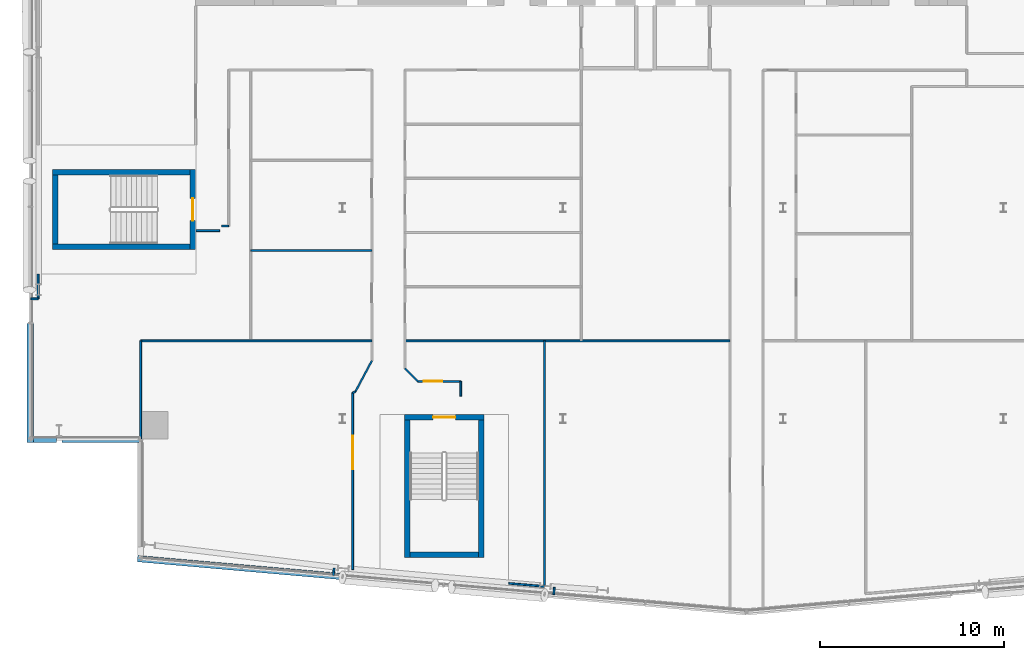
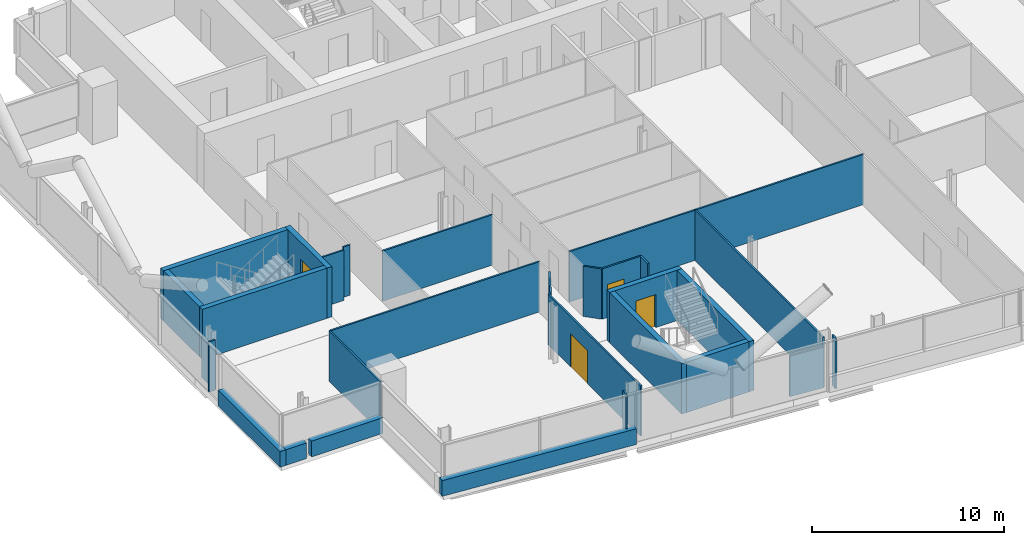
# One storey, part 14 of 26: 30 walls, 4 doors, 4 openings.
"""IFC4 building model written with IfcOpenShell, lengths in metres."""

import ifcopenshell
import ifcopenshell.guid

model = None  # the IFC model being written
_history = None  # IfcOwnerHistory: only IFC2X3 demands one
_inside = {}  # id of a spatial element -> (the spatial element, [elements in it])
_under = {}  # id of a project, library or spatial element -> (it, [spatial elements below it])
_declared = {}  # id of a project -> (the project, [libraries it declares])
_typed = {}  # id of a type object -> (the type object, [elements of that type])
_made_of = {}  # id of a material, layer set ... -> (it, [elements and type objects made of it])


def new_model(schema):
    """Start an empty IFC model of exactly this schema.

    Asked for "IFC4X3", IfcOpenShell would pick the latest addendum, in which some entities
    have other attributes; the version numbers below select the first issue.
    IFC2X3 requires an IfcOwnerHistory on every rooted entity: one is made here for all.
    """
    global model, _history
    if schema == "IFC4X3":
        model = ifcopenshell.file(schema_version=(4, 3, 0, 0))
    else:
        model = ifcopenshell.file(schema=schema)
    _inside.clear()
    _under.clear()
    _declared.clear()
    _typed.clear()
    _made_of.clear()
    _history = None
    if model.schema == "IFC2X3":
        org = make("IfcOrganization", Name="unknown")
        user = make(
            "IfcPersonAndOrganization",
            ThePerson=make("IfcPerson", FamilyName="unknown"),
            TheOrganization=org,
        )
        app = make(
            "IfcApplication",
            ApplicationDeveloper=org,
            Version="unknown",
            ApplicationFullName="unknown",
            ApplicationIdentifier="unknown",
        )
        _history = make(
            "IfcOwnerHistory",
            OwningUser=user,
            OwningApplication=app,
            ChangeAction="ADDED",
            CreationDate=0,
        )
    return model


def make(cls, **values):
    """One entity of the class cls with the attributes given. An attribute that is None is left unset."""
    return model.create_entity(
        cls, **{name: value for name, value in values.items() if value is not None}
    )


def rooted(cls, **values):
    """An entity with a GlobalId (a new one), such as an element, a storey or a relation."""
    return make(cls, GlobalId=ifcopenshell.guid.new(), OwnerHistory=_history, **values)


def si_unit(unit_type, name, prefix=None):
    """IfcSIUnit, for example si_unit("LENGTHUNIT", "METRE", prefix="MILLI")."""
    return make("IfcSIUnit", UnitType=unit_type, Prefix=prefix, Name=name)


def assignment(units):
    """IfcUnitAssignment: the units of a project."""
    return None if units is None else make("IfcUnitAssignment", Units=units)


def point(xyz):
    """IfcCartesianPoint."""
    return None if xyz is None else make("IfcCartesianPoint", Coordinates=xyz)


def direction(xyz):
    """IfcDirection."""
    return None if xyz is None else make("IfcDirection", DirectionRatios=xyz)


def frame(location, z_axis=None, x_axis=None):
    """IfcAxis2Placement3D, a coordinate frame: its origin and axes. An axis left out is left unset."""
    return make(
        "IfcAxis2Placement3D",
        Location=point(location),
        Axis=direction(z_axis),
        RefDirection=direction(x_axis),
    )


def frame_2d(location, x_axis=None):
    """IfcAxis2Placement2D, a coordinate frame in the plane: its origin and x axis."""
    return make(
        "IfcAxis2Placement2D", Location=point(location), RefDirection=direction(x_axis)
    )


def origin():
    """The frame at (0, 0, 0) with its axes left unset."""
    return frame((0.0, 0.0, 0.0))


def place(relative_to, where):
    """IfcLocalPlacement: puts the frame where relative to a parent placement (None: the world)."""
    return make(
        "IfcLocalPlacement", PlacementRelTo=relative_to, RelativePlacement=where
    )


def context(
    kind, dimensions, precision=None, world=None, true_north=None, identifier=None
):
    """IfcGeometricRepresentationContext, for example the 3D "Model" context."""
    return make(
        "IfcGeometricRepresentationContext",
        ContextIdentifier=identifier,
        ContextType=kind,
        CoordinateSpaceDimension=dimensions,
        Precision=precision,
        WorldCoordinateSystem=world,
        TrueNorth=true_north,
    )


def subcontext(parent, identifier, kind, view, scale=None):
    """IfcGeometricRepresentationSubContext, for example "Body" below "Model"."""
    return make(
        "IfcGeometricRepresentationSubContext",
        ContextIdentifier=identifier,
        ContextType=kind,
        ParentContext=parent,
        TargetScale=scale,
        TargetView=view,
    )


def project(units=None, contexts=None):
    """IfcProject with its units and contexts."""
    return rooted(
        "IfcProject",
        Name="project",
        RepresentationContexts=contexts,
        UnitsInContext=assignment(units),
    )


def spatial(cls, under=None, at=None, **own):
    """A site, building, storey or space (cls), placed at a placement, below another one or the project."""
    s = rooted(cls, ObjectPlacement=at, **own)
    if under is not None:
        _under.setdefault(under.id(), (under, []))[1].append(s)
    return s


def profile(cls, at=None, kind="AREA", **sizes):
    """A parametric profile (cls). Its sizes go by their IFC names, for example OverallWidth=200.0."""
    return make(cls, ProfileType=kind, Position=at, **sizes)


def rectangle(**sizes):
    """IfcRectangleProfileDef."""
    return profile("IfcRectangleProfileDef", **sizes)


def extrude(swept, where, along, depth):
    """IfcExtrudedAreaSolid: the profile swept, set in the frame where, extruded along a direction by depth."""
    return make(
        "IfcExtrudedAreaSolid",
        SweptArea=swept,
        Position=where,
        ExtrudedDirection=direction(along),
        Depth=depth,
    )


def shape(context_of_items, identifier, shape_type, items):
    """IfcShapeRepresentation: the items that make up one representation, for example the "Body"."""
    return make(
        "IfcShapeRepresentation",
        ContextOfItems=context_of_items,
        RepresentationIdentifier=identifier,
        RepresentationType=shape_type,
        Items=items,
    )


def material(Name=None, Category=None):
    """IfcMaterial."""
    return make("IfcMaterial", Name=Name, Category=Category)


def layer(
    of_material, thickness, ventilated=None, Name=None, Category=None, Priority=None
):
    """IfcMaterialLayer: one layer of a wall or slab, of a material (None: an air gap)."""
    return make(
        "IfcMaterialLayer",
        Material=of_material,
        LayerThickness=thickness,
        IsVentilated=ventilated,
        Name=Name,
        Category=Category,
        Priority=Priority,
    )


def layer_set(layers, Name=None):
    """IfcMaterialLayerSet."""
    return make("IfcMaterialLayerSet", MaterialLayers=layers, LayerSetName=Name)


def made_of(thing, what):
    """Note that an element or type object is made of a material, layer set ...; save() writes the relation."""
    if what is not None:
        _made_of.setdefault(what.id(), (what, []))[1].append(thing)
    return thing


def type_object(cls, material=None, **own):
    """A type object (cls), such as IfcWallType, which elements share."""
    return made_of(rooted(cls, **own), material)


def element(
    cls,
    number,
    at=None,
    inside=None,
    cuts=None,
    type_object=None,
    material=None,
    context=None,
    identifier="Body",
    shape_type=None,
    held_by="IfcProductDefinitionShape",
    body=None,
    shapes=None,
    **own,
):
    """One element of the class cls, such as IfcWall. Its Tag is "e" and its number.

    at: its placement. inside: the storey or other place that contains it. cuts: it is an
    opening in that element (IfcRelVoidsElement). A single representation is given by context,
    identifier, shape_type and body (its items); several are given by shapes. held_by: the class
    of the entity that holds the representations. save() writes the other relations.
    """
    e = rooted(cls, Tag="e%d" % number, ObjectPlacement=at, **own)
    if body is not None:
        shapes = [shape(context, identifier, shape_type, body)]
    if shapes is not None:
        e.Representation = make(held_by, Representations=shapes)
    if inside is not None:
        _inside.setdefault(inside.id(), (inside, []))[1].append(e)
    if cuts is not None:
        rooted(
            "IfcRelVoidsElement", RelatingBuildingElement=cuts, RelatedOpeningElement=e
        )
    if type_object is not None:
        _typed.setdefault(type_object.id(), (type_object, []))[1].append(e)
    return made_of(e, material)


def fill(opening, filler):
    """IfcRelFillsElement: the door or window that sits in an opening."""
    return rooted(
        "IfcRelFillsElement",
        RelatingOpeningElement=opening,
        RelatedBuildingElement=filler,
    )


def aggregate(whole, parts):
    """IfcRelAggregates: a whole, such as a stair, and the parts it consists of."""
    return rooted("IfcRelAggregates", RelatingObject=whole, RelatedObjects=parts)


def save(model, path):
    """Write the relations noted so far, then the file.

    IfcRelAggregates (storeys below a building ...), IfcRelContainedInSpatialStructure (elements
    in a storey), IfcRelDefinesByType, IfcRelAssociatesMaterial and IfcRelDeclares: one each for
    every whole, place, type object, material and project.
    """
    for whole, parts in _under.values():
        aggregate(whole, parts)
    for where, things in _inside.values():
        rooted(
            "IfcRelContainedInSpatialStructure",
            RelatedElements=things,
            RelatingStructure=where,
        )
    for kind, things in _typed.values():
        rooted("IfcRelDefinesByType", RelatedObjects=things, RelatingType=kind)
    for what, things in _made_of.values():
        rooted("IfcRelAssociatesMaterial", RelatedObjects=things, RelatingMaterial=what)
    for by, libraries in _declared.values():
        rooted("IfcRelDeclares", RelatingContext=by, RelatedDefinitions=libraries)
    model.write(path)


model = new_model("IFC4")

# Units and contexts
model_context = context("Model", 3, precision=1e-05, world=origin(), true_north=direction((0.0, 1.0)))
body_context = subcontext(model_context, "Body", "Model", "MODEL_VIEW")
ifc_project = project(units=[si_unit("LENGTHUNIT", "METRE"), si_unit("AREAUNIT", "SQUARE_METRE"), si_unit("VOLUMEUNIT", "CUBIC_METRE"), si_unit("PLANEANGLEUNIT", "RADIAN"), si_unit("MASSUNIT", "GRAM", prefix="KILO")], contexts=[model_context])

# Site, building, storey
site_placement = place(None, origin())
site = spatial("IfcSite", under=ifc_project, at=site_placement, CompositionType="ELEMENT")
building_placement = place(site_placement, origin())
building = spatial("IfcBuilding", under=site, at=building_placement, Name="Wharfspan Tower", CompositionType="ELEMENT")
storey_placement = place(building_placement, frame((0.0, 0.0, 173.5)))
storey = spatial("IfcBuildingStorey", under=building, at=storey_placement, Name="L42", CompositionType="ELEMENT", Elevation=173.5)

# Walls
ifc_material_1 = material(Name="Gypsum board on steel studs", Category="steel")
ifc_layer_1 = layer(ifc_material_1, 0.100098)
ifc_layer_set_1 = layer_set([ifc_layer_1], Name="Gypsum board on steel studs")
wall_type_1 = type_object("IfcWallType", Name="Compartment wall 100 EI 60", PredefinedType="PARTITIONING", material=ifc_layer_set_1)
wall_1_placement = place(storey_placement, frame((13.0, 15.745117, 0.0), z_axis=(0.0, 0.0, 1.0), x_axis=(1.0, 0.0, 0.0)))
element("IfcWall", 1, at=wall_1_placement, inside=storey, type_object=wall_type_1, Name="Partition L42.w005", PredefinedType="PARTITIONING", context=body_context, shape_type="SweptSolid", body=[
    extrude(rectangle(XDim=12.600098, YDim=0.100098, at=frame_2d((6.300049, 0.0))), origin(), (0.0, 0.0, 1.0), 3.199951),
])
wall_2_placement = place(storey_placement, frame((16.02002, 21.75, 0.0), z_axis=(0.0, 0.0, 1.0), x_axis=(1.0, 0.0, 0.0)))
element("IfcWall", 2, at=wall_2_placement, inside=storey, type_object=wall_type_1, Name="Partition L42.w007", PredefinedType="PARTITIONING", context=body_context, shape_type="SweptSolid", body=[
    extrude(rectangle(XDim=1.280029, YDim=0.100098, at=frame_2d((0.640137, 0.0))), origin(), (0.0, 0.0, 1.0), 3.199951),
])
wall_3_placement = place(storey_placement, frame((17.419922, 22.0, 0.0), z_axis=(0.0, 0.0, 1.0), x_axis=(1.0, 0.0, 0.0)))
element("IfcWall", 3, at=wall_3_placement, inside=storey, type_object=wall_type_1, Name="Partition L42.w008", PredefinedType="PARTITIONING", context=body_context, shape_type="SweptSolid", body=[
    extrude(rectangle(XDim=0.380127, YDim=0.100098, at=frame_2d((0.189941, 0.0))), origin(), (0.0, 0.0, 1.0), 3.199951),
])
wall_4_placement = place(storey_placement, frame((19.0, 20.665039, 0.0), z_axis=(0.0, 0.0, 1.0), x_axis=(1.0, 0.0, 0.0)))
element("IfcWall", 4, at=wall_4_placement, inside=storey, type_object=wall_type_1, Name="Partition L42.w012", PredefinedType="PARTITIONING", context=body_context, shape_type="SweptSolid", body=[
    extrude(rectangle(XDim=6.600098, YDim=0.100098, at=frame_2d((3.300049, 0.0))), origin(), (0.0, 0.0, 1.0), 3.199951),
])
wall_5_placement = place(storey_placement, frame((24.550049, 12.915039, 0.0), z_axis=(0.0, 0.0, 1.0), x_axis=(0.900306, 0.435266, 0.0)))
element("IfcWall", 5, at=wall_5_placement, inside=storey, type_object=wall_type_1, Name="Partition L42.w015", PredefinedType="PARTITIONING", context=body_context, shape_type="SweptSolid", body=[
    extrude(rectangle(XDim=0.172119, YDim=0.100098, at=frame_2d((0.085938, 0.0))), origin(), (0.0, 0.0, 1.0), 3.199951),
])

# Wall, opening, door
wall_6_placement = place(storey_placement, frame((24.550049, 3.284912, 0.0), z_axis=(0.0, 0.0, 1.0), x_axis=(0.0, 1.0, 0.0)))
wall_6 = element("IfcWall", 6, at=wall_6_placement, inside=storey, type_object=wall_type_1, Name="Partition L42.w016", PredefinedType="PARTITIONING", context=body_context, shape_type="SweptSolid", body=[
    extrude(rectangle(XDim=9.630127, YDim=0.100098, at=frame_2d((4.814941, 0.0))), origin(), (0.0, 0.0, 1.0), 3.199951),
])
opening_1_placement = place(wall_6_placement, frame((5.480713, 0.0, 0.0)))
opening_1 = element("IfcOpeningElement", 7, at=opening_1_placement, cuts=wall_6, Name="Opening C3-03", PredefinedType="OPENING", context=body_context, shape_type="SweptSolid", body=[
    extrude(rectangle(XDim=1.800049, YDim=2.100098, at=frame_2d((0.899902, 1.050049))), frame((0.0, 0.060059, 0.0), z_axis=(0.0, -1.0, 0.0), x_axis=(1.0, 0.0, 0.0)), (0.0, 0.0, 1.0), 0.120117),
])
ifc_material_2 = material(Name="Fire-rated timber door leaf in steel frame", Category="steel")
door_type_1 = type_object("IfcDoorType", Name="Door 1800 FD30S Double", OperationType="DOUBLE_DOOR_SINGLE_SWING", PredefinedType="DOOR", material=ifc_material_2)
door_1_placement = place(opening_1_placement, origin())
door_1 = element("IfcDoor", 8, at=door_1_placement, inside=storey, type_object=door_type_1, Name="Door C3-03", OperationType="DOUBLE_DOOR_SINGLE_SWING", OverallHeight=2.100098, OverallWidth=1.800049, PredefinedType="DOOR", context=body_context, shape_type="SweptSolid", body=[
    extrude(rectangle(XDim=1.800049, YDim=2.100098, at=frame_2d((0.899902, 1.050049))), frame((0.0, 0.024902, 0.0), z_axis=(0.0, -1.0, 0.0), x_axis=(1.0, 0.0, 0.0)), (0.0, 0.0, 1.0), 0.050049),
])
fill(opening_1, door_1)

# Walls
wall_7_placement = place(storey_placement, frame((24.705078, 12.98999, 0.0), z_axis=(0.0, 0.0, 1.0), x_axis=(0.4702, 0.882555, 0.0)))
element("IfcWall", 9, at=wall_7_placement, inside=storey, type_object=wall_type_1, Name="Partition L42.w017", PredefinedType="PARTITIONING", context=body_context, shape_type="SweptSolid", body=[
    extrude(rectangle(XDim=1.903564, YDim=0.100098, at=frame_2d((0.95166, 0.0))), origin(), (0.0, 0.0, 1.0), 3.199951),
])
wall_8_placement = place(storey_placement, frame((27.399902, 15.745117, 0.0), z_axis=(0.0, 0.0, 1.0), x_axis=(1.0, 0.0, 0.0)))
element("IfcWall", 10, at=wall_8_placement, inside=storey, type_object=wall_type_1, Name="Partition L42.w020", PredefinedType="PARTITIONING", context=body_context, shape_type="SweptSolid", body=[
    extrude(rectangle(XDim=17.700195, YDim=0.100098, at=frame_2d((8.850098, 0.0))), origin(), (0.0, 0.0, 1.0), 3.199951),
])
wall_9_placement = place(storey_placement, frame((28.10498, 13.534912, 0.0), z_axis=(0.0, 0.0, 1.0), x_axis=(-0.707107, 0.707107, 0.0)))
element("IfcWall", 11, at=wall_9_placement, inside=storey, type_object=wall_type_1, Name="Partition L42.w026", PredefinedType="PARTITIONING", context=body_context, shape_type="SweptSolid", body=[
    extrude(rectangle(XDim=0.99707, YDim=0.100098, at=frame_2d((0.498535, 0.0))), origin(), (0.0, 0.0, 1.0), 3.199951),
])

# Wall, opening, door
wall_10_placement = place(storey_placement, frame((28.10498, 13.534912, 0.0), z_axis=(0.0, 0.0, 1.0), x_axis=(1.0, 0.0, 0.0)))
wall_10 = element("IfcWall", 12, at=wall_10_placement, inside=storey, type_object=wall_type_1, Name="Partition L42.w027", PredefinedType="PARTITIONING", context=body_context, shape_type="SweptSolid", body=[
    extrude(rectangle(XDim=2.334961, YDim=0.100098, at=frame_2d((1.16748, 0.0))), origin(), (0.0, 0.0, 1.0), 3.199951),
])
opening_2_placement = place(wall_10_placement, frame((0.314941, 0.0, 0.0)))
opening_2 = element("IfcOpeningElement", 13, at=opening_2_placement, cuts=wall_10, Name="Opening C3-04", PredefinedType="OPENING", context=body_context, shape_type="SweptSolid", body=[
    extrude(rectangle(XDim=1.0, YDim=2.100098, at=frame_2d((0.5, 1.050049))), frame((0.0, 0.060059, 0.0), z_axis=(0.0, -1.0, 0.0), x_axis=(1.0, 0.0, 0.0)), (0.0, 0.0, 1.0), 0.120117),
])
door_type_2 = type_object("IfcDoorType", Name="Door 1000 FD30S Left", OperationType="SINGLE_SWING_LEFT", PredefinedType="DOOR", material=ifc_material_2)
door_2_placement = place(opening_2_placement, origin())
door_2 = element("IfcDoor", 14, at=door_2_placement, inside=storey, type_object=door_type_2, Name="Door C3-04", OperationType="SINGLE_SWING_LEFT", OverallHeight=2.100098, OverallWidth=1.0, PredefinedType="DOOR", context=body_context, shape_type="SweptSolid", body=[
    extrude(rectangle(XDim=1.0, YDim=2.100098, at=frame_2d((0.5, 1.050049))), frame((0.0, 0.024902, 0.0), z_axis=(0.0, -1.0, 0.0), x_axis=(1.0, 0.0, 0.0)), (0.0, 0.0, 1.0), 0.050049),
])
fill(opening_2, door_2)

# Walls
wall_11_placement = place(storey_placement, frame((30.439941, 12.734375, 0.0), z_axis=(0.0, 0.0, 1.0), x_axis=(0.0, 1.0, 0.0)))
element("IfcWall", 15, at=wall_11_placement, inside=storey, type_object=wall_type_1, Name="Partition L42.w028", PredefinedType="PARTITIONING", context=body_context, shape_type="SweptSolid", body=[
    extrude(rectangle(XDim=0.800537, YDim=0.100098, at=frame_2d((0.400391, 0.0))), origin(), (0.0, 0.0, 1.0), 3.199951),
])
ifc_layer_2 = layer(ifc_material_1, 0.100098)
ifc_layer_set_2 = layer_set([ifc_layer_2], Name="Gypsum board on steel studs")
wall_type_2 = type_object("IfcWallType", Name="Partition 100", PredefinedType="PARTITIONING", material=ifc_layer_set_2)
wall_12_placement = place(storey_placement, frame((7.02002, 18.034912, 0.0), z_axis=(0.0, 0.0, 1.0), x_axis=(1.0, 0.0, 0.0)))
element("IfcWall", 16, at=wall_12_placement, inside=storey, type_object=wall_type_2, Name="Partition L42.w001", PredefinedType="PARTITIONING", context=body_context, shape_type="SweptSolid", body=[
    extrude(rectangle(XDim=0.399902, YDim=0.100098, at=frame_2d((0.199951, 0.0))), origin(), (0.0, 0.0, 1.0), 3.199951),
])
wall_13_placement = place(storey_placement, frame((7.419922, 18.034912, 0.0), z_axis=(0.0, 0.0, 1.0), x_axis=(0.0, 1.0, 0.0)))
element("IfcWall", 17, at=wall_13_placement, inside=storey, type_object=wall_type_2, Name="Partition L42.w002", PredefinedType="PARTITIONING", context=body_context, shape_type="SweptSolid", body=[
    extrude(rectangle(XDim=1.344971, YDim=0.100098, at=frame_2d((0.672363, 0.0))), origin(), (0.0, 0.0, 1.0), 2.580078),
])
wall_14_placement = place(storey_placement, frame((13.0, 10.419922, 0.0), z_axis=(0.0, 0.0, 1.0), x_axis=(0.0, 1.0, 0.0)))
element("IfcWall", 18, at=wall_14_placement, inside=storey, type_object=wall_type_2, Name="Partition L42.w004", PredefinedType="PARTITIONING", context=body_context, shape_type="SweptSolid", body=[
    extrude(rectangle(XDim=5.325195, YDim=0.100098, at=frame_2d((2.662598, 0.0))), origin(), (0.0, 0.0, 1.0), 3.199951),
])
wall_15_placement = place(storey_placement, frame((23.502197, 2.976318, 0.0), z_axis=(0.0, 0.0, 1.0), x_axis=(0.095654, 0.995419, 0.0)))
element("IfcWall", 19, at=wall_15_placement, inside=storey, type_object=wall_type_2, Name="Partition L42.w014", PredefinedType="PARTITIONING", context=body_context, shape_type="SweptSolid", body=[
    extrude(rectangle(XDim=0.395508, YDim=0.100098, at=frame_2d((0.197754, 0.0))), origin(), (0.0, 0.0, 1.0), 3.199951),
])
wall_16_placement = place(storey_placement, frame((35.0, 2.370117, 0.0), z_axis=(0.0, 0.0, 1.0), x_axis=(-0.996265, 0.086343, 0.0)))
element("IfcWall", 20, at=wall_16_placement, inside=storey, type_object=wall_type_2, Name="Partition L42.w029", PredefinedType="PARTITIONING", context=body_context, shape_type="SweptSolid", body=[
    extrude(rectangle(XDim=1.948242, YDim=0.100098, at=frame_2d((0.974121, 0.0))), origin(), (0.0, 0.0, 1.0), 2.580078),
])
wall_17_placement = place(storey_placement, frame((35.0, 2.370117, 0.0), z_axis=(0.0, 0.0, 1.0), x_axis=(0.0, 1.0, 0.0)))
element("IfcWall", 21, at=wall_17_placement, inside=storey, type_object=wall_type_2, Name="Partition L42.w030", PredefinedType="PARTITIONING", context=body_context, shape_type="SweptSolid", body=[
    extrude(rectangle(XDim=13.375, YDim=0.100098, at=frame_2d((6.6875, 0.0))), origin(), (0.0, 0.0, 1.0), 3.199951),
])
wall_18_placement = place(storey_placement, frame((35.501709, 1.926514, 0.0), z_axis=(0.0, 0.0, 1.0), x_axis=(0.083045, 0.996542, 0.0)))
element("IfcWall", 22, at=wall_18_placement, inside=storey, type_object=wall_type_2, Name="Partition L42.w031", PredefinedType="PARTITIONING", context=body_context, shape_type="SweptSolid", body=[
    extrude(rectangle(XDim=0.399902, YDim=0.100098, at=frame_2d((0.199951, 0.0))), origin(), (0.0, 0.0, 1.0), 3.199951),
])
ifc_material_3 = material(Name="Concrete C40/50", Category="concrete")
ifc_layer_3 = layer(ifc_material_3, 0.350098)
ifc_layer_set_3 = layer_set([ifc_layer_3], Name="Concrete C40/50")
wall_type_3 = type_object("IfcWallType", Name="SPANDREL EXPOSED CONCRETE 350", PredefinedType="SOLIDWALL", material=ifc_layer_set_3)
wall_19_placement = place(storey_placement, frame((12.835205, 3.884521, 0.0), z_axis=(0.0, 0.0, 1.0), x_axis=(0.996199, -0.087154, 0.0)))
element("IfcWall", 23, at=wall_19_placement, inside=storey, type_object=wall_type_3, Name="Spandrel upstand L42 S1 1", PredefinedType="SOLIDWALL", context=body_context, shape_type="SweptSolid", body=[
    extrude(rectangle(XDim=11.177002, YDim=0.350098, at=frame_2d((5.588379, 0.0))), origin(), (0.0, 0.0, 1.0), 1.0),
])
wall_20_placement = place(storey_placement, frame((6.995117, 16.689941, 0.0), z_axis=(0.0, 0.0, 1.0), x_axis=(0.0, -1.0, 0.0)))
element("IfcWall", 24, at=wall_20_placement, inside=storey, type_object=wall_type_3, Name="Spandrel upstand L42 W", PredefinedType="SOLIDWALL", context=body_context, shape_type="SweptSolid", body=[
    extrude(rectangle(XDim=6.469971, YDim=0.350098, at=frame_2d((3.234863, 0.0))), origin(), (0.0, 0.0, 1.0), 1.0),
])
wall_21_placement = place(storey_placement, frame((7.169922, 10.39502, 0.0), z_axis=(0.0, 0.0, 1.0), x_axis=(1.0, 0.0, 0.0)))
element("IfcWall", 25, at=wall_21_placement, inside=storey, type_object=wall_type_3, Name="Spandrel upstand L42 NFW-H", PredefinedType="SOLIDWALL", context=body_context, shape_type="SweptSolid", body=[
    extrude(rectangle(XDim=1.238281, YDim=0.350098, at=frame_2d((0.619141, 0.0))), origin(), (0.0, 0.0, 1.0), 1.0),
])
wall_22_placement = place(storey_placement, frame((8.713379, 10.39502, 0.0), z_axis=(0.0, 0.0, 1.0), x_axis=(1.0, 0.0, 0.0)))
element("IfcWall", 26, at=wall_22_placement, inside=storey, type_object=wall_type_3, Name="Spandrel upstand L42 NFW-H 2", PredefinedType="SOLIDWALL", context=body_context, shape_type="SweptSolid", body=[
    extrude(rectangle(XDim=4.286621, YDim=0.350098, at=frame_2d((2.143311, 0.0))), origin(), (0.0, 0.0, 1.0), 1.0),
])

# Wall, opening, door
ifc_layer_4 = layer(ifc_material_3, 0.300049)
ifc_layer_set_4 = layer_set([ifc_layer_4], Name="Concrete C40/50")
wall_type_4 = type_object("IfcWallType", Name="Stair core wall 300", PredefinedType="SHEAR", material=ifc_layer_set_4)
wall_23_placement = place(storey_placement, frame((15.850098, 20.725098, 0.0), z_axis=(0.0, 0.0, 1.0), x_axis=(0.0, 1.0, 0.0)))
wall_23 = element("IfcWall", 27, at=wall_23_placement, inside=storey, type_object=wall_type_4, Name="ST3 stair enclosure wall L42", PredefinedType="SHEAR", context=body_context, shape_type="SweptSolid", body=[
    extrude(rectangle(XDim=4.349854, YDim=0.300049, at=frame_2d((2.174805, 0.0))), origin(), (0.0, 0.0, 1.0), 3.199951),
])
opening_3_placement = place(wall_23_placement, frame((1.574951, 0.0, 0.0)))
opening_3 = element("IfcOpeningElement", 28, at=opening_3_placement, cuts=wall_23, Name="Opening SD3.L42", PredefinedType="OPENING", context=body_context, shape_type="SweptSolid", body=[
    extrude(rectangle(XDim=1.199951, YDim=2.100098, at=frame_2d((0.600098, 1.050049))), frame((0.0, 0.159912, 0.0), z_axis=(0.0, -1.0, 0.0), x_axis=(1.0, 0.0, 0.0)), (0.0, 0.0, 1.0), 0.320068),
])
ifc_material_4 = material(Name="Steel door leaf", Category="steel")
door_type_3 = type_object("IfcDoorType", Name="Stair door 1200x2100", OperationType="SINGLE_SWING_LEFT", PredefinedType="DOOR", material=ifc_material_4)
door_3_placement = place(opening_3_placement, origin())
door_3 = element("IfcDoor", 29, at=door_3_placement, inside=storey, type_object=door_type_3, Name="sd:L42:ST3z3", OperationType="SINGLE_SWING_RIGHT", OverallHeight=2.100098, OverallWidth=1.199951, PredefinedType="DOOR", context=body_context, shape_type="SweptSolid", body=[
    extrude(rectangle(XDim=1.199951, YDim=2.100098, at=frame_2d((0.600098, 1.050049))), frame((0.0, 0.024902, 0.0), z_axis=(0.0, -1.0, 0.0), x_axis=(1.0, 0.0, 0.0)), (0.0, 0.0, 1.0), 0.050049),
])
fill(opening_3, door_3)

wall_24_placement = place(storey_placement, frame((27.364258, 11.584229, 0.0), z_axis=(0.0, 0.0, 1.0), x_axis=(1.0, 0.0, 0.0)))
wall_24 = element("IfcWall", 30, at=wall_24_placement, inside=storey, type_object=wall_type_4, Name="ST4 stair enclosure wall L42", PredefinedType="SHEAR", context=body_context, shape_type="SweptSolid", body=[
    extrude(rectangle(XDim=4.349854, YDim=0.300049, at=frame_2d((2.174805, 0.0))), origin(), (0.0, 0.0, 1.0), 3.199951),
])
opening_4_placement = place(wall_24_placement, frame((1.574951, 0.0, 0.0)))
opening_4 = element("IfcOpeningElement", 31, at=opening_4_placement, cuts=wall_24, Name="Opening SD4.L42", PredefinedType="OPENING", context=body_context, shape_type="SweptSolid", body=[
    extrude(rectangle(XDim=1.199951, YDim=2.100098, at=frame_2d((0.600098, 1.050049))), frame((0.0, 0.159912, 0.0), z_axis=(0.0, -1.0, 0.0), x_axis=(1.0, 0.0, 0.0)), (0.0, 0.0, 1.0), 0.320068),
])
door_4_placement = place(opening_4_placement, origin())
door_4 = element("IfcDoor", 32, at=door_4_placement, inside=storey, type_object=door_type_3, Name="sd:L42:ST4z3", OperationType="SINGLE_SWING_RIGHT", OverallHeight=2.100098, OverallWidth=1.199951, PredefinedType="DOOR", context=body_context, shape_type="SweptSolid", body=[
    extrude(rectangle(XDim=1.199951, YDim=2.100098, at=frame_2d((0.600098, 1.050049))), frame((0.0, 0.024902, 0.0), z_axis=(0.0, -1.0, 0.0), x_axis=(1.0, 0.0, 0.0)), (0.0, 0.0, 1.0), 0.050049),
])
fill(opening_4, door_4)

# Walls
for number, where, z_axis, x_axis, name in (
    (33, (8.199951, 20.875, 0.0), (0.0, 0.0, 1.0), (1.0, 0.0, 0.0), "ST3 stair enclosure wall L42"),
    (34, (8.199951, 24.925049, 0.0), (0.0, 0.0, 1.0), (1.0, 0.0, 0.0), "ST3 stair enclosure wall L42"),
):
    element("IfcWall", number, at=place(storey_placement, frame(where, z_axis=z_axis, x_axis=x_axis)), inside=storey, type_object=wall_type_4, Name=name, PredefinedType="SHEAR", context=body_context, shape_type="SweptSolid", body=[
        extrude(rectangle(XDim=7.5, YDim=0.300049, at=frame_2d((3.75, 0.0))), origin(), (0.0, 0.0, 1.0), 3.199951),
    ])
wall_25_placement = place(storey_placement, frame((8.350098, 21.024902, 0.0), z_axis=(0.0, 0.0, 1.0), x_axis=(0.0, 1.0, 0.0)))
element("IfcWall", 35, at=wall_25_placement, inside=storey, type_object=wall_type_4, Name="ST3 stair enclosure wall L42", PredefinedType="SHEAR", context=body_context, shape_type="SweptSolid", body=[
    extrude(rectangle(XDim=3.75, YDim=0.300049, at=frame_2d((1.875, 0.0))), origin(), (0.0, 0.0, 1.0), 3.199951),
])
for number, where, z_axis, x_axis, name in (
    (36, (27.51416, 3.934326, 0.0), (0.0, 0.0, 1.0), (0.0, 1.0, 0.0), "ST4 stair enclosure wall L42"),
    (37, (31.564209, 3.934326, 0.0), (0.0, 0.0, 1.0), (0.0, 1.0, 0.0), "ST4 stair enclosure wall L42"),
):
    element("IfcWall", number, at=place(storey_placement, frame(where, z_axis=z_axis, x_axis=x_axis)), inside=storey, type_object=wall_type_4, Name=name, PredefinedType="SHEAR", context=body_context, shape_type="SweptSolid", body=[
        extrude(rectangle(XDim=7.5, YDim=0.300049, at=frame_2d((3.75, 0.0))), origin(), (0.0, 0.0, 1.0), 3.199951),
    ])
wall_26_placement = place(storey_placement, frame((27.664307, 4.084229, 0.0), z_axis=(0.0, 0.0, 1.0), x_axis=(1.0, 0.0, 0.0)))
element("IfcWall", 38, at=wall_26_placement, inside=storey, type_object=wall_type_4, Name="ST4 stair enclosure wall L42", PredefinedType="SHEAR", context=body_context, shape_type="SweptSolid", body=[
    extrude(rectangle(XDim=3.75, YDim=0.300049, at=frame_2d((1.875, 0.0))), origin(), (0.0, 0.0, 1.0), 3.199951),
])

save(model, "model.ifc")
